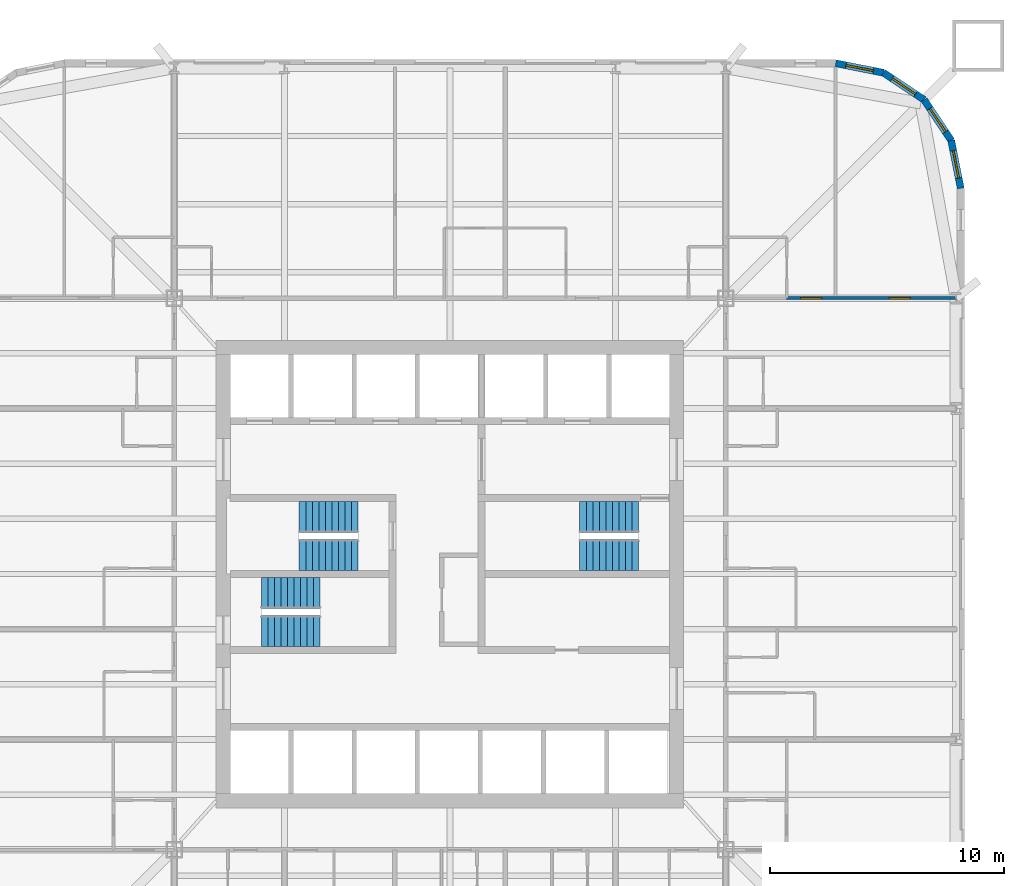
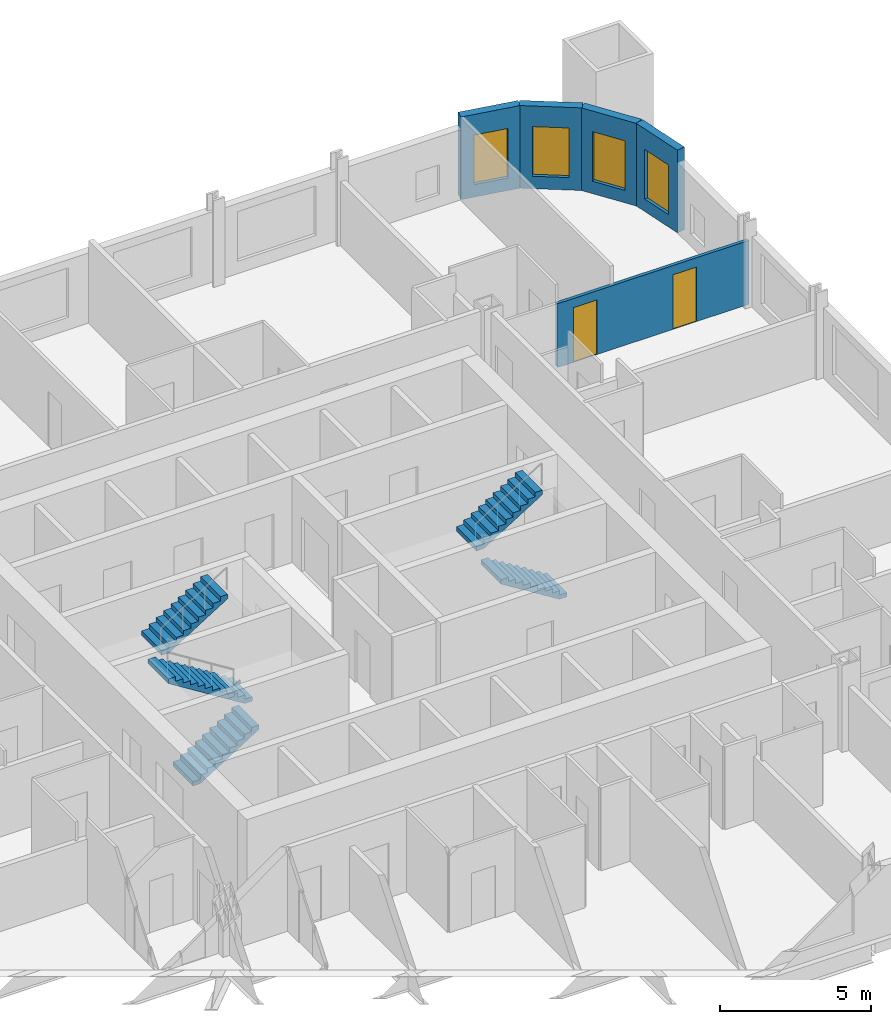
# One storey, part 8 of 9: 6 stair flights, 5 walls, 4 windows, 2 doors, 6 openings, 3 elements without a shape of their own.
"""IFC4 building model written with IfcOpenShell, lengths in metres."""

from ifc_helpers import new_model, si_unit, direction, frame, frame_2d, origin, place, context, subcontext, project, spatial, polyline, rectangle, outline, extrude, material, layer, layer_set, type_object, element, fill, aggregate, save


model = new_model("IFC4")

# Units and contexts
model_context = context("Model", 3, precision=1e-05, world=origin(), true_north=direction((0.0, 1.0)))
body_context = subcontext(model_context, "Body", "Model", "MODEL_VIEW")
ifc_project = project(units=[si_unit("LENGTHUNIT", "METRE"), si_unit("AREAUNIT", "SQUARE_METRE"), si_unit("VOLUMEUNIT", "CUBIC_METRE"), si_unit("PLANEANGLEUNIT", "RADIAN"), si_unit("MASSUNIT", "GRAM", prefix="KILO")], contexts=[model_context])

# Site, building, storey
site_placement = place(None, origin())
site = spatial("IfcSite", under=ifc_project, at=site_placement, CompositionType="ELEMENT")
building_placement = place(site_placement, origin())
building = spatial("IfcBuilding", under=site, at=building_placement, Name="Turquesa Mirador Hotel Tower", CompositionType="ELEMENT")
storey_placement = place(building_placement, frame((0.0, 0.0, 74.0)))
storey = spatial("IfcBuildingStorey", under=building, at=storey_placement, Name="L19", CompositionType="ELEMENT", Elevation=74.0)

# Wall, opening, window
ifc_material_1 = material(Name="Limestone cladding on concrete block", Category="masonry")
ifc_layer_1 = layer(ifc_material_1, 0.300048828125)
ifc_layer_set_1 = layer_set([ifc_layer_1], Name="FACADE WALL 300 STONE SCREEN")
wall_type_1 = type_object("IfcWallType", Name="FACADE WALL 300 STONE SCREEN", PredefinedType="SOLIDWALL", material=ifc_layer_set_1)
wall_1_placement = place(storey_placement, frame((76.85009765625, 61.5, 0.0), z_axis=(0.0, 0.0, 1.0), x_axis=(-0.195081421501, 0.980787050784, 0.0)))
wall_1 = element("IfcWall", 1, at=wall_1_placement, inside=storey, type_object=wall_type_1, Name="Facade wall L19 05", PredefinedType="SOLIDWALL", context=body_context, shape_type="SweptSolid", body=[
    extrude(rectangle(XDim=2.08740234375, YDim=0.300048828125, at=frame_2d((1.043701171875, 0.0))), origin(), (0.0, 0.0, 1.0), 3.330078125),
])
opening_1_placement = place(wall_1_placement, frame((0.443603515625, 0.0, 0.5)))
opening_1 = element("IfcOpeningElement", 2, at=opening_1_placement, cuts=wall_1, Name="Opening WN4", PredefinedType="OPENING", context=body_context, shape_type="SweptSolid", body=[
    extrude(rectangle(XDim=1.199951171875, YDim=2.0, at=frame_2d((0.60009765625, 1.0))), frame((0.0, 0.159912109375, 0.0), z_axis=(0.0, -1.0, 0.0), x_axis=(1.0, 0.0, 0.0)), (0.0, 0.0, 1.0), 0.320068359375),
])
ifc_material_2 = material(Name="Ceramic-fritted laminated glass", Category="glass")
window_type = type_object("IfcWindowType", Name="FRITTED CORNER WINDOW 1200X2000", PartitioningType="DOUBLE_PANEL_HORIZONTAL", PredefinedType="WINDOW", material=ifc_material_2)
window_1_placement = place(opening_1_placement, origin())
window_1 = element("IfcWindow", 3, at=window_1_placement, inside=storey, type_object=window_type, Name="Window L19", OverallHeight=2.0, OverallWidth=1.199951171875, PartitioningType="SINGLE_PANEL", PredefinedType="WINDOW", context=body_context, shape_type="SweptSolid", body=[
    extrude(rectangle(XDim=1.199951171875, YDim=2.0, at=frame_2d((0.60009765625, 1.0))), frame((0.0, 0.030029296875, 0.0), z_axis=(0.0, -1.0, 0.0), x_axis=(1.0, 0.0, 0.0)), (0.0, 0.0, 1.0), 0.06005859375),
])
fill(opening_1, window_1)

wall_2_placement = place(storey_placement, frame((76.44287109375, 63.54736328125, 0.0), z_axis=(0.0, 0.0, 1.0), x_axis=(-0.555644460423, 0.831420010345, 0.0)))
wall_2 = element("IfcWall", 4, at=wall_2_placement, inside=storey, type_object=wall_type_1, Name="Facade wall L19 06", PredefinedType="SOLIDWALL", context=body_context, shape_type="SweptSolid", body=[
    extrude(rectangle(XDim=2.08740234375, YDim=0.300048828125, at=frame_2d((1.043701171875, 0.0))), origin(), (0.0, 0.0, 1.0), 3.330078125),
])
opening_2_placement = place(wall_2_placement, frame((0.443603515625, 0.0, 0.5)))
opening_2 = element("IfcOpeningElement", 5, at=opening_2_placement, cuts=wall_2, Name="Opening WN4", PredefinedType="OPENING", context=body_context, shape_type="SweptSolid", body=[
    extrude(rectangle(XDim=1.199951171875, YDim=2.0, at=frame_2d((0.60009765625, 1.0))), frame((0.0, 0.159912109375, 0.0), z_axis=(0.0, -1.0, 0.0), x_axis=(1.0, 0.0, 0.0)), (0.0, 0.0, 1.0), 0.320068359375),
])
window_2_placement = place(opening_2_placement, origin())
window_2 = element("IfcWindow", 6, at=window_2_placement, inside=storey, type_object=window_type, Name="Window L19", OverallHeight=2.0, OverallWidth=1.199951171875, PartitioningType="SINGLE_PANEL", PredefinedType="WINDOW", context=body_context, shape_type="SweptSolid", body=[
    extrude(rectangle(XDim=1.199951171875, YDim=2.0, at=frame_2d((0.60009765625, 1.0))), frame((0.0, 0.030029296875, 0.0), z_axis=(0.0, -1.0, 0.0), x_axis=(1.0, 0.0, 0.0)), (0.0, 0.0, 1.0), 0.06005859375),
])
fill(opening_2, window_2)

wall_3_placement = place(storey_placement, frame((75.282958984375, 65.282958984375, 0.0), z_axis=(0.0, 0.0, 1.0), x_axis=(-0.831420010345, 0.555644460423, 0.0)))
wall_3 = element("IfcWall", 7, at=wall_3_placement, inside=storey, type_object=wall_type_1, Name="Facade wall L19 07", PredefinedType="SOLIDWALL", context=body_context, shape_type="SweptSolid", body=[
    extrude(rectangle(XDim=2.08740234375, YDim=0.300048828125, at=frame_2d((1.043701171875, 0.0))), origin(), (0.0, 0.0, 1.0), 3.330078125),
])
opening_3_placement = place(wall_3_placement, frame((0.443603515625, 0.0, 0.5)))
opening_3 = element("IfcOpeningElement", 8, at=opening_3_placement, cuts=wall_3, Name="Opening WN4", PredefinedType="OPENING", context=body_context, shape_type="SweptSolid", body=[
    extrude(rectangle(XDim=1.199951171875, YDim=2.0, at=frame_2d((0.60009765625, 1.0))), frame((0.0, 0.159912109375, 0.0), z_axis=(0.0, -1.0, 0.0), x_axis=(1.0, 0.0, 0.0)), (0.0, 0.0, 1.0), 0.320068359375),
])
window_3_placement = place(opening_3_placement, origin())
window_3 = element("IfcWindow", 9, at=window_3_placement, inside=storey, type_object=window_type, Name="Window L19", OverallHeight=2.0, OverallWidth=1.199951171875, PartitioningType="SINGLE_PANEL", PredefinedType="WINDOW", context=body_context, shape_type="SweptSolid", body=[
    extrude(rectangle(XDim=1.199951171875, YDim=2.0, at=frame_2d((0.60009765625, 1.0))), frame((0.0, 0.030029296875, 0.0), z_axis=(0.0, -1.0, 0.0), x_axis=(1.0, 0.0, 0.0)), (0.0, 0.0, 1.0), 0.06005859375),
])
fill(opening_3, window_3)

wall_4_placement = place(storey_placement, frame((73.54736328125, 66.44287109375, 0.0), z_axis=(0.0, 0.0, 1.0), x_axis=(-0.980787050784, 0.195081421501, 0.0)))
wall_4 = element("IfcWall", 10, at=wall_4_placement, inside=storey, type_object=wall_type_1, Name="Facade wall L19 08", PredefinedType="SOLIDWALL", context=body_context, shape_type="SweptSolid", body=[
    extrude(rectangle(XDim=2.08740234375, YDim=0.300048828125, at=frame_2d((1.043701171875, 0.0))), origin(), (0.0, 0.0, 1.0), 3.330078125),
])
opening_4_placement = place(wall_4_placement, frame((0.443603515625, 0.0, 0.5)))
opening_4 = element("IfcOpeningElement", 11, at=opening_4_placement, cuts=wall_4, Name="Opening WN4", PredefinedType="OPENING", context=body_context, shape_type="SweptSolid", body=[
    extrude(rectangle(XDim=1.199951171875, YDim=2.0, at=frame_2d((0.60009765625, 1.0))), frame((0.0, 0.159912109375, 0.0), z_axis=(0.0, -1.0, 0.0), x_axis=(1.0, 0.0, 0.0)), (0.0, 0.0, 1.0), 0.320068359375),
])
window_4_placement = place(opening_4_placement, origin())
window_4 = element("IfcWindow", 12, at=window_4_placement, inside=storey, type_object=window_type, Name="Window L19", OverallHeight=2.0, OverallWidth=1.199951171875, PartitioningType="SINGLE_PANEL", PredefinedType="WINDOW", context=body_context, shape_type="SweptSolid", body=[
    extrude(rectangle(XDim=1.199951171875, YDim=2.0, at=frame_2d((0.60009765625, 1.0))), frame((0.0, 0.030029296875, 0.0), z_axis=(0.0, -1.0, 0.0), x_axis=(1.0, 0.0, 0.0)), (0.0, 0.0, 1.0), 0.06005859375),
])
fill(opening_4, window_4)

# Wall, openings, doors
ifc_material_3 = material(Name="Acoustic gypsum board on steel studs", Category="steel")
ifc_layer_2 = layer(ifc_material_3, 0.125)
ifc_layer_set_2 = layer_set([ifc_layer_2], Name="SUITE PARTITION 125")
wall_type_2 = type_object("IfcWallType", Name="SUITE PARTITION 125", PredefinedType="PARTITIONING", material=ifc_layer_set_2)
wall_5_placement = place(storey_placement, frame((69.39990234375, 56.800048828125, 0.0), z_axis=(0.0, 0.0, 1.0), x_axis=(1.0, 0.0, 0.0)))
wall_5 = element("IfcWall", 13, at=wall_5_placement, inside=storey, type_object=wall_type_2, Name="Partition L19 028", PredefinedType="PARTITIONING", context=body_context, shape_type="SweptSolid", body=[
    extrude(rectangle(XDim=7.300048828125, YDim=0.125, at=frame_2d((3.64990234375, 0.0))), origin(), (0.0, 0.0, 1.0), 2.572998046875),
])
opening_5_placement = place(wall_5_placement, frame((0.60009765625, 0.0, 0.0)))
opening_5 = element("IfcOpeningElement", 14, at=opening_5_placement, cuts=wall_5, Name="Opening D17", PredefinedType="OPENING", context=body_context, shape_type="SweptSolid", body=[
    extrude(rectangle(XDim=0.89990234375, YDim=2.199951171875, at=frame_2d((0.449951171875, 1.10009765625))), frame((0.0, 0.072509765625, 0.0), z_axis=(0.0, -1.0, 0.0), x_axis=(1.0, 0.0, 0.0)), (0.0, 0.0, 1.0), 0.14501953125),
])
opening_6_placement = place(wall_5_placement, frame((4.39990234375, 0.0, 0.0)))
opening_6 = element("IfcOpeningElement", 15, at=opening_6_placement, cuts=wall_5, Name="Opening D17", PredefinedType="OPENING", context=body_context, shape_type="SweptSolid", body=[
    extrude(rectangle(XDim=0.89990234375, YDim=2.199951171875, at=frame_2d((0.449951171875, 1.10009765625))), frame((0.0, 0.072509765625, 0.0), z_axis=(0.0, -1.0, 0.0), x_axis=(1.0, 0.0, 0.0)), (0.0, 0.0, 1.0), 0.14501953125),
])
ifc_material_4 = material(Name="Timber veneered door", Category="wood")
door_type = type_object("IfcDoorType", Name="DOOR 900X2200 SUITE INTERNAL", OperationType="SINGLE_SWING_LEFT", PredefinedType="DOOR", material=ifc_material_4)
door_1_placement = place(opening_5_placement, origin())
door_1 = element("IfcDoor", 16, at=door_1_placement, inside=storey, type_object=door_type, Name="Door 1912R", OperationType="SINGLE_SWING_LEFT", OverallHeight=2.199951171875, OverallWidth=0.89990234375, PredefinedType="DOOR", context=body_context, shape_type="SweptSolid", body=[
    extrude(rectangle(XDim=0.89990234375, YDim=2.199951171875, at=frame_2d((0.449951171875, 1.10009765625))), frame((0.0, 0.02490234375, 0.0), z_axis=(0.0, -1.0, 0.0), x_axis=(1.0, 0.0, 0.0)), (0.0, 0.0, 1.0), 0.050048828125),
])
fill(opening_5, door_1)
door_2_placement = place(opening_6_placement, origin())
door_2 = element("IfcDoor", 17, at=door_2_placement, inside=storey, type_object=door_type, Name="Door 1912S", OperationType="SINGLE_SWING_LEFT", OverallHeight=2.199951171875, OverallWidth=0.89990234375, PredefinedType="DOOR", context=body_context, shape_type="SweptSolid", body=[
    extrude(rectangle(XDim=0.89990234375, YDim=2.199951171875, at=frame_2d((0.449951171875, 1.10009765625))), frame((0.0, 0.02490234375, 0.0), z_axis=(0.0, -1.0, 0.0), x_axis=(1.0, 0.0, 0.0)), (0.0, 0.0, 1.0), 0.050048828125),
])
fill(opening_6, door_2)

# Stair, stair flights
ifc_material_5 = material(Name="Concrete C35/45", Category="concrete")
stair_type = type_object("IfcStairType", Name="ESCAPE STAIR CORE", PredefinedType="HALF_TURN_STAIR", material=ifc_material_5)
stair_1_placement = place(storey_placement, origin())
stair_1 = element("IfcStair", 18, at=stair_1_placement, inside=storey, type_object=stair_type, Name="Stair ST1 L19 to L20", PredefinedType="HALF_TURN_STAIR")
ifc_material_6 = material(Name="Concrete C35/45 precast flight", Category="concrete")
stair_flight_type = type_object("IfcStairFlightType", Name="STAIR FLIGHT 1330", PredefinedType="STRAIGHT", material=ifc_material_6)
stair_flight_1_placement = place(storey_placement, frame((51.070068359375, 45.81494140625, 0.0), z_axis=(0.0, 0.0, 1.0), x_axis=(-1.0, 0.0, 0.0)))
stair_flight_1 = element("IfcStairFlight", 19, at=stair_flight_1_placement, type_object=stair_flight_type, Name="ST1 flight 1", NumberOfRisers=10, NumberOfTreads=9, PredefinedType="STRAIGHT", RiserHeight=0.175, TreadLength=0.28, context=body_context, shape_type="SweptSolid", body=[
    extrude(outline(polyline([(0.0, 0.0), (0.0, 0.175048828125), (0.280029296875, 0.175048828125), (0.280029296875, 0.35009765625), (0.56005859375, 0.35009765625), (0.56005859375, 0.52490234375), (0.840087890625, 0.52490234375), (0.840087890625, 0.699951171875), (1.1201171875, 0.699951171875), (1.1201171875, 0.875), (1.39990234375, 0.875), (1.39990234375, 1.050048828125), (1.679931640625, 1.050048828125), (1.679931640625, 1.22509765625), (1.9599609375, 1.22509765625), (1.9599609375, 1.39990234375), (2.239990234375, 1.39990234375), (2.239990234375, 1.574951171875), (2.52001953125, 1.574951171875), (2.52001953125, 1.75), (2.52001953125, 1.398193359375), (0.28271484375, 0.0), (0.0, 0.0)])), frame((0.0, 0.6650390625, 0.0), z_axis=(0.0, -1.0, 0.0), x_axis=(1.0, 0.0, 0.0)), (0.0, 0.0, 1.0), 1.330078125),
])
stair_flight_2_placement = place(storey_placement, frame((48.550048828125, 47.43505859375, 1.75), z_axis=(0.0, 0.0, 1.0), x_axis=(1.0, 0.0, 0.0)))
stair_flight_2 = element("IfcStairFlight", 20, at=stair_flight_2_placement, type_object=stair_flight_type, Name="ST1 flight 2", NumberOfRisers=10, NumberOfTreads=9, PredefinedType="STRAIGHT", RiserHeight=0.175, TreadLength=0.28, context=body_context, shape_type="SweptSolid", body=[
    extrude(outline(polyline([(0.0, 0.0), (0.0, 0.175048828125), (0.280029296875, 0.175048828125), (0.280029296875, 0.35009765625), (0.56005859375, 0.35009765625), (0.56005859375, 0.52490234375), (0.840087890625, 0.52490234375), (0.840087890625, 0.699951171875), (1.1201171875, 0.699951171875), (1.1201171875, 0.875), (1.39990234375, 0.875), (1.39990234375, 1.050048828125), (1.679931640625, 1.050048828125), (1.679931640625, 1.22509765625), (1.9599609375, 1.22509765625), (1.9599609375, 1.39990234375), (2.239990234375, 1.39990234375), (2.239990234375, 1.574951171875), (2.52001953125, 1.574951171875), (2.52001953125, 1.75), (2.52001953125, 1.398193359375), (0.28271484375, 0.0), (0.0, 0.0)])), frame((0.0, 0.6650390625, 0.0), z_axis=(0.0, -1.0, 0.0), x_axis=(1.0, 0.0, 0.0)), (0.0, 0.0, 1.0), 1.330078125),
])
aggregate(stair_1, [stair_flight_1, stair_flight_2])

stair_2_placement = place(storey_placement, origin())
stair_2 = element("IfcStair", 21, at=stair_2_placement, inside=storey, type_object=stair_type, Name="Stair ST2 L19 to L20", PredefinedType="HALF_TURN_STAIR")
stair_flight_3_placement = place(storey_placement, frame((46.929931640625, 42.56494140625, 0.0), z_axis=(0.0, 0.0, 1.0), x_axis=(1.0, 0.0, 0.0)))
stair_flight_3 = element("IfcStairFlight", 22, at=stair_flight_3_placement, type_object=stair_flight_type, Name="ST2 flight 1", NumberOfRisers=10, NumberOfTreads=9, PredefinedType="STRAIGHT", RiserHeight=0.175, TreadLength=0.28, context=body_context, shape_type="SweptSolid", body=[
    extrude(outline(polyline([(0.0, 0.0), (0.0, 0.175048828125), (0.280029296875, 0.175048828125), (0.280029296875, 0.35009765625), (0.56005859375, 0.35009765625), (0.56005859375, 0.52490234375), (0.840087890625, 0.52490234375), (0.840087890625, 0.699951171875), (1.1201171875, 0.699951171875), (1.1201171875, 0.875), (1.39990234375, 0.875), (1.39990234375, 1.050048828125), (1.679931640625, 1.050048828125), (1.679931640625, 1.22509765625), (1.9599609375, 1.22509765625), (1.9599609375, 1.39990234375), (2.239990234375, 1.39990234375), (2.239990234375, 1.574951171875), (2.52001953125, 1.574951171875), (2.52001953125, 1.75), (2.52001953125, 1.398193359375), (0.28271484375, 0.0), (0.0, 0.0)])), frame((0.0, 0.6650390625, 0.0), z_axis=(0.0, -1.0, 0.0), x_axis=(1.0, 0.0, 0.0)), (0.0, 0.0, 1.0), 1.330078125),
])
stair_flight_4_placement = place(storey_placement, frame((49.449951171875, 44.18505859375, 1.75), z_axis=(0.0, 0.0, 1.0), x_axis=(-1.0, 0.0, 0.0)))
stair_flight_4 = element("IfcStairFlight", 23, at=stair_flight_4_placement, type_object=stair_flight_type, Name="ST2 flight 2", NumberOfRisers=10, NumberOfTreads=9, PredefinedType="STRAIGHT", RiserHeight=0.175, TreadLength=0.28, context=body_context, shape_type="SweptSolid", body=[
    extrude(outline(polyline([(0.0, 0.0), (0.0, 0.175048828125), (0.280029296875, 0.175048828125), (0.280029296875, 0.35009765625), (0.56005859375, 0.35009765625), (0.56005859375, 0.52490234375), (0.840087890625, 0.52490234375), (0.840087890625, 0.699951171875), (1.1201171875, 0.699951171875), (1.1201171875, 0.875), (1.39990234375, 0.875), (1.39990234375, 1.050048828125), (1.679931640625, 1.050048828125), (1.679931640625, 1.22509765625), (1.9599609375, 1.22509765625), (1.9599609375, 1.39990234375), (2.239990234375, 1.39990234375), (2.239990234375, 1.574951171875), (2.52001953125, 1.574951171875), (2.52001953125, 1.75), (2.52001953125, 1.398193359375), (0.28271484375, 0.0), (0.0, 0.0)])), frame((0.0, 0.6650390625, 0.0), z_axis=(0.0, -1.0, 0.0), x_axis=(1.0, 0.0, 0.0)), (0.0, 0.0, 1.0), 1.330078125),
])
aggregate(stair_2, [stair_flight_3, stair_flight_4])

stair_3_placement = place(storey_placement, origin())
stair_3 = element("IfcStair", 24, at=stair_3_placement, inside=storey, type_object=stair_type, Name="Stair ST3 L19 to L20", PredefinedType="HALF_TURN_STAIR")
stair_flight_5_placement = place(storey_placement, frame((63.070068359375, 45.81494140625, 0.0), z_axis=(0.0, 0.0, 1.0), x_axis=(-1.0, 0.0, 0.0)))
stair_flight_5 = element("IfcStairFlight", 25, at=stair_flight_5_placement, type_object=stair_flight_type, Name="ST3 flight 1", NumberOfRisers=10, NumberOfTreads=9, PredefinedType="STRAIGHT", RiserHeight=0.175, TreadLength=0.28, context=body_context, shape_type="SweptSolid", body=[
    extrude(outline(polyline([(0.0, 0.0), (0.0, 0.175048828125), (0.280029296875, 0.175048828125), (0.280029296875, 0.35009765625), (0.56005859375, 0.35009765625), (0.56005859375, 0.52490234375), (0.840087890625, 0.52490234375), (0.840087890625, 0.699951171875), (1.1201171875, 0.699951171875), (1.1201171875, 0.875), (1.39990234375, 0.875), (1.39990234375, 1.050048828125), (1.679931640625, 1.050048828125), (1.679931640625, 1.22509765625), (1.9599609375, 1.22509765625), (1.9599609375, 1.39990234375), (2.239990234375, 1.39990234375), (2.239990234375, 1.574951171875), (2.52001953125, 1.574951171875), (2.52001953125, 1.75), (2.52001953125, 1.398193359375), (0.28271484375, 0.0), (0.0, 0.0)])), frame((0.0, 0.6650390625, 0.0), z_axis=(0.0, -1.0, 0.0), x_axis=(1.0, 0.0, 0.0)), (0.0, 0.0, 1.0), 1.330078125),
])
stair_flight_6_placement = place(storey_placement, frame((60.550048828125, 47.43505859375, 1.75), z_axis=(0.0, 0.0, 1.0), x_axis=(1.0, 0.0, 0.0)))
stair_flight_6 = element("IfcStairFlight", 26, at=stair_flight_6_placement, type_object=stair_flight_type, Name="ST3 flight 2", NumberOfRisers=10, NumberOfTreads=9, PredefinedType="STRAIGHT", RiserHeight=0.175, TreadLength=0.28, context=body_context, shape_type="SweptSolid", body=[
    extrude(outline(polyline([(0.0, 0.0), (0.0, 0.175048828125), (0.280029296875, 0.175048828125), (0.280029296875, 0.35009765625), (0.56005859375, 0.35009765625), (0.56005859375, 0.52490234375), (0.840087890625, 0.52490234375), (0.840087890625, 0.699951171875), (1.1201171875, 0.699951171875), (1.1201171875, 0.875), (1.39990234375, 0.875), (1.39990234375, 1.050048828125), (1.679931640625, 1.050048828125), (1.679931640625, 1.22509765625), (1.9599609375, 1.22509765625), (1.9599609375, 1.39990234375), (2.239990234375, 1.39990234375), (2.239990234375, 1.574951171875), (2.52001953125, 1.574951171875), (2.52001953125, 1.75), (2.52001953125, 1.398193359375), (0.28271484375, 0.0), (0.0, 0.0)])), frame((0.0, 0.6650390625, 0.0), z_axis=(0.0, -1.0, 0.0), x_axis=(1.0, 0.0, 0.0)), (0.0, 0.0, 1.0), 1.330078125),
])
aggregate(stair_3, [stair_flight_5, stair_flight_6])

save(model, "model.ifc")
